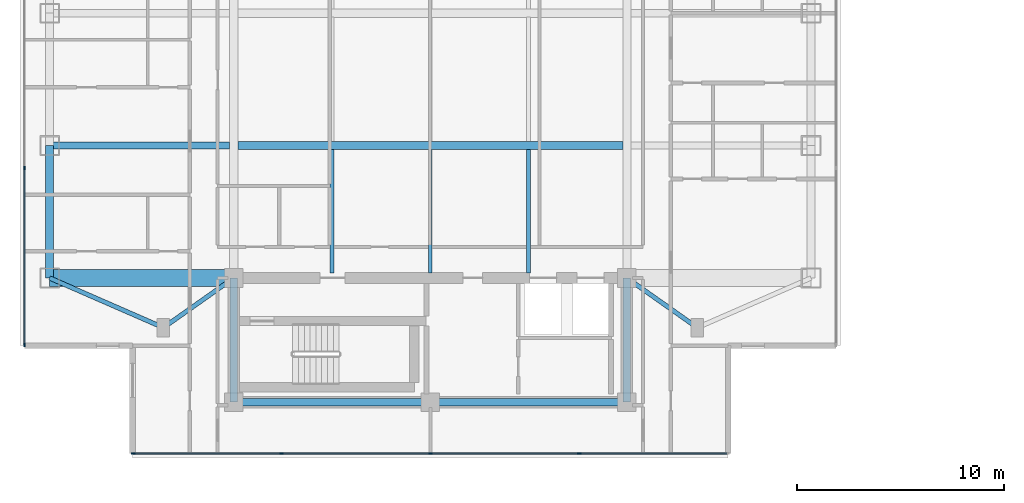
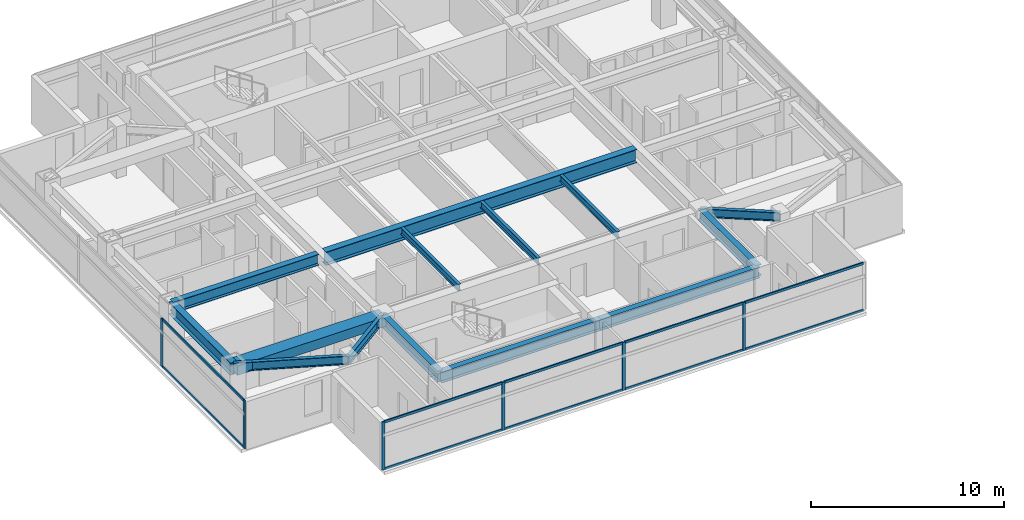
# One storey, part 2 of 24: 16 members, 14 beams, 2 elements without a shape of their own.
"""IFC4 building model written with IfcOpenShell, lengths in metres."""

from ifc_helpers import new_model, si_unit, direction, frame, origin, origin_2d, place, context, subcontext, project, spatial, rectangle, i_section, extrude, material, material_profile, profile_set, type_object, element, aggregate, save


model = new_model("IFC4")

# Units and contexts
model_context = context("Model", 3, precision=1e-05, world=origin(), true_north=direction((0.0, 1.0)))
body_context = subcontext(model_context, "Body", "Model", "MODEL_VIEW")
ifc_project = project(units=[si_unit("LENGTHUNIT", "METRE"), si_unit("AREAUNIT", "SQUARE_METRE"), si_unit("VOLUMEUNIT", "CUBIC_METRE"), si_unit("PLANEANGLEUNIT", "RADIAN"), si_unit("MASSUNIT", "GRAM", prefix="KILO")], contexts=[model_context])

# Site, building, storey
site_placement = place(None, origin())
site = spatial("IfcSite", under=ifc_project, at=site_placement, CompositionType="ELEMENT")
building_placement = place(site_placement, origin())
building = spatial("IfcBuilding", under=site, at=building_placement, Name="Mirazonda Arch Towers", CompositionType="ELEMENT")
storey_placement = place(building_placement, frame((0.0, 0.0, 186.89990234375)))
storey = spatial("IfcBuildingStorey", under=building, at=storey_placement, Name="L53", CompositionType="ELEMENT", Elevation=186.89990234375)

# Beams
ifc_material_1 = material(Name="Steel ASTM A992 Grade 50", Category="steel")
ifc_material_profile_1 = material_profile(ifc_material_1, i_section(OverallWidth=0.381103515625, OverallDepth=0.77294921875, WebThickness=0.0166015625, FlangeThickness=0.027099609375, at=origin_2d()), Name="W30X173")
ifc_profile_set_1 = profile_set([ifc_material_profile_1], Name="Steel ASTM A992 Grade 50")
beam_type_1 = type_object("IfcBeamType", Name="BM-EXT-W30X173", PredefinedType="USERDEFINED", material=ifc_profile_set_1)
beam_1_placement = place(storey_placement, frame((2.10009765625, 18.39990234375, 2.66357421875), z_axis=(0.0, 1.0, 0.0), x_axis=(-1.0, 0.0, 0.0)))
element("IfcBeam", 1, at=beam_1_placement, inside=storey, type_object=beam_type_1, Name="L53 Floor Beam BM-T1-L53-NS-W-18", ObjectType="GIRDER", PredefinedType="USERDEFINED", context=body_context, shape_type="SweptSolid", body=[
    extrude(i_section(OverallWidth=0.381103515625, OverallDepth=0.77294921875, WebThickness=0.0166015625, FlangeThickness=0.027099609375, at=origin_2d()), origin(), (0.0, 0.0, 1.0), 6.400146484375),
])
ifc_material_profile_2 = material_profile(ifc_material_1, i_section(OverallWidth=0.180908203125, OverallDepth=0.4169921875, WebThickness=0.010986328125, FlangeThickness=0.018310546875, at=origin_2d()), Name="W16X57")
ifc_profile_set_2 = profile_set([ifc_material_profile_2], Name="Steel ASTM A992 Grade 50")
beam_type_2 = type_object("IfcBeamType", Name="BM-INT-W16X57", PredefinedType="JOIST", material=ifc_profile_set_2)
for number, where, z_axis, x_axis, name in (
    (2, (15.75, 18.639892578125, 2.841552734375), (0.0, 1.0, 0.0), (-1.0, 0.0, 0.0), "L53 Floor Beam BM-T1-L53-J-157-18"),
    (3, (20.5, 18.639892578125, 2.841552734375), (0.0, 1.0, 0.0), (-1.0, 0.0, 0.0), "L53 Floor Beam BM-T1-L53-J-205-18"),
    (4, (25.25, 18.639892578125, 2.841552734375), (0.0, 1.0, 0.0), (-1.0, 0.0, 0.0), "L53 Floor Beam BM-T1-L53-J-252-18"),
):
    element("IfcBeam", number, at=place(storey_placement, frame(where, z_axis=z_axis, x_axis=x_axis)), inside=storey, type_object=beam_type_2, Name=name, PredefinedType="JOIST", context=body_context, shape_type="SweptSolid", body=[
        extrude(i_section(OverallWidth=0.180908203125, OverallDepth=0.4169921875, WebThickness=0.010986328125, FlangeThickness=0.018310546875, at=origin_2d()), origin(), (0.0, 0.0, 1.0), 5.964111328125),
    ])
ifc_material_profile_3 = material_profile(ifc_material_1, i_section(OverallWidth=0.214111328125, OverallDepth=0.549072265625, WebThickness=0.0146484375, FlangeThickness=0.023681640625, at=origin_2d()), Name="W21X93")
ifc_profile_set_3 = profile_set([ifc_material_profile_3], Name="Steel ASTM A992 Grade 50")
beam_type_3 = type_object("IfcBeamType", Name="BM-INT-W21X93", PredefinedType="BEAM", material=ifc_profile_set_3)
beam_2_placement = place(storey_placement, frame((7.60009765625, 16.0, 2.775634765625), z_axis=(0.816971114901, 0.576678591087, 0.0), x_axis=(-0.576678591087, 0.816971114901, 0.0)))
element("IfcBeam", 5, at=beam_2_placement, inside=storey, type_object=beam_type_3, Name="L53 Floor Beam BM-T1-L53-PL-SW1", PredefinedType="BEAM", context=body_context, shape_type="SweptSolid", body=[
    extrude(i_section(OverallWidth=0.214111328125, OverallDepth=0.549072265625, WebThickness=0.0146484375, FlangeThickness=0.023681640625, at=origin_2d()), origin(), (0.0, 0.0, 1.0), 4.16162109375),
])
beam_3_placement = place(storey_placement, frame((7.60009765625, 16.0, 2.775634765625), z_axis=(-0.916545343703, 0.399930785183, 0.0), x_axis=(-0.399930785183, -0.916545343703, 0.0)))
element("IfcBeam", 6, at=beam_3_placement, inside=storey, type_object=beam_type_3, Name="L53 Floor Beam BM-T1-L53-PL-SW2", PredefinedType="BEAM", context=body_context, shape_type="SweptSolid", body=[
    extrude(i_section(OverallWidth=0.214111328125, OverallDepth=0.549072265625, WebThickness=0.0146484375, FlangeThickness=0.023681640625, at=origin_2d()), origin(), (0.0, 0.0, 1.0), 6.000732421875),
])
beam_4_placement = place(storey_placement, frame((33.39990234375, 16.0, 2.775634765625), z_axis=(-0.816971114901, 0.576678591087, 0.0), x_axis=(-0.576678591087, -0.816971114901, 0.0)))
element("IfcBeam", 7, at=beam_4_placement, inside=storey, type_object=beam_type_3, Name="L53 Floor Beam BM-T1-L53-PL-SE1", PredefinedType="BEAM", context=body_context, shape_type="SweptSolid", body=[
    extrude(i_section(OverallWidth=0.214111328125, OverallDepth=0.549072265625, WebThickness=0.0146484375, FlangeThickness=0.023681640625, at=origin_2d()), origin(), (0.0, 0.0, 1.0), 4.16162109375),
])
ifc_material_profile_4 = material_profile(ifc_material_1, i_section(OverallWidth=0.35498046875, OverallDepth=0.696044921875, WebThickness=0.015380859375, FlangeThickness=0.02490234375, at=origin_2d()), Name="W27X146")
ifc_profile_set_4 = profile_set([ifc_material_profile_4], Name="Steel ASTM A992 Grade 50")
beam_type_4 = type_object("IfcBeamType", Name="BM-INT-W27X146", PredefinedType="BEAM", material=ifc_profile_set_4)
beam_5_placement = place(storey_placement, frame((2.10009765625, 24.800048828125, 2.7021484375), z_axis=(1.0, 0.0, 0.0), x_axis=(0.0, 1.0, 0.0)))
element("IfcBeam", 8, at=beam_5_placement, inside=storey, type_object=beam_type_4, Name="L53 Floor Beam BM-T1-L53-GW2", PredefinedType="BEAM", context=body_context, shape_type="SweptSolid", body=[
    extrude(i_section(OverallWidth=0.35498046875, OverallDepth=0.696044921875, WebThickness=0.015380859375, FlangeThickness=0.02490234375, at=origin_2d()), origin(), (0.0, 0.0, 1.0), 8.699951171875),
])
for number, where, z_axis, x_axis, name in (
    (9, (11.0, 12.39990234375, 2.7021484375), (1.0, 0.0, 0.0), (0.0, 1.0, 0.0), "L53 Floor Beam BM-T1-L53-CS1"),
    (10, (20.5, 12.39990234375, 2.7021484375), (1.0, 0.0, 0.0), (0.0, 1.0, 0.0), "L53 Floor Beam BM-T1-L53-CS2"),
):
    element("IfcBeam", number, at=place(storey_placement, frame(where, z_axis=z_axis, x_axis=x_axis)), inside=storey, type_object=beam_type_4, Name=name, PredefinedType="BEAM", context=body_context, shape_type="SweptSolid", body=[
        extrude(i_section(OverallWidth=0.35498046875, OverallDepth=0.696044921875, WebThickness=0.015380859375, FlangeThickness=0.02490234375, at=origin_2d()), origin(), (0.0, 0.0, 1.0), 9.5),
    ])
for number, where, z_axis, x_axis, name in (
    (11, (11.0, 12.39990234375, 2.7021484375), (0.0, 1.0, 0.0), (-1.0, 0.0, 0.0), "L53 Floor Beam BM-T1-L53-CSW"),
    (12, (30.0, 12.39990234375, 2.7021484375), (0.0, 1.0, 0.0), (-1.0, 0.0, 0.0), "L53 Floor Beam BM-T1-L53-CSE"),
):
    element("IfcBeam", number, at=place(storey_placement, frame(where, z_axis=z_axis, x_axis=x_axis)), inside=storey, type_object=beam_type_4, Name=name, PredefinedType="BEAM", context=body_context, shape_type="SweptSolid", body=[
        extrude(i_section(OverallWidth=0.35498046875, OverallDepth=0.696044921875, WebThickness=0.015380859375, FlangeThickness=0.02490234375, at=origin_2d()), origin(), (0.0, 0.0, 1.0), 6.0),
    ])
ifc_material_profile_5 = material_profile(ifc_material_1, i_section(OverallWidth=0.39990234375, OverallDepth=0.85595703125, WebThickness=0.018310546875, FlangeThickness=0.029296875, at=origin_2d()), Name="W33X201")
ifc_profile_set_5 = profile_set([ifc_material_profile_5], Name="Steel ASTM A992 Grade 50")
beam_type_5 = type_object("IfcBeamType", Name="BM-INT-W33X201", PredefinedType="USERDEFINED", material=ifc_profile_set_5)
beam_6_placement = place(storey_placement, frame((11.199951171875, 24.800048828125, 2.6220703125), z_axis=(1.0, 0.0, 0.0), x_axis=(0.0, 1.0, 0.0)))
element("IfcBeam", 13, at=beam_6_placement, inside=storey, type_object=beam_type_5, Name="L53 Floor Beam BM-T1-L53-GC2", ObjectType="GIRDER", PredefinedType="USERDEFINED", context=body_context, shape_type="SweptSolid", body=[
    extrude(i_section(OverallWidth=0.39990234375, OverallDepth=0.85595703125, WebThickness=0.018310546875, FlangeThickness=0.029296875, at=origin_2d()), origin(), (0.0, 0.0, 1.0), 18.60009765625),
])
ifc_material_2 = material(Name="Concrete C60/75", Category="concrete")
ifc_material_profile_6 = material_profile(ifc_material_2, rectangle(XDim=0.800048828125, YDim=0.60009765625, at=origin_2d()), Name="RCCB800x600")
ifc_profile_set_6 = profile_set([ifc_material_profile_6], Name="Concrete C60/75")
beam_type_6 = type_object("IfcBeamType", Name="CB-INT-RCCB800x600", PredefinedType="SPANDREL", material=ifc_profile_set_6)
beam_7_placement = place(storey_placement, frame((2.10009765625, 18.39990234375, 2.75), z_axis=(1.0, 0.0, 0.0), x_axis=(0.0, 1.0, 0.0)))
element("IfcBeam", 14, at=beam_7_placement, inside=storey, type_object=beam_type_6, Name="L53 Floor Beam CBC-T1-L53-SW", PredefinedType="SPANDREL", context=body_context, shape_type="SweptSolid", body=[
    extrude(rectangle(XDim=0.800048828125, YDim=0.60009765625, at=origin_2d()), origin(), (0.0, 0.0, 1.0), 8.89990234375),
])

# Curtain wall, members
ifc_material_3 = material(Name="Anodised Aluminium and Low-E Glass", Category="aluminium")
curtain_wall_type = type_object("IfcCurtainWallType", Name="CW-RES-UNIT", PredefinedType="NOTDEFINED", material=ifc_material_3)
curtain_wall_1_placement = place(storey_placement, origin())
curtain_wall_1 = element("IfcCurtainWall", 15, at=curtain_wall_1_placement, inside=storey, type_object=curtain_wall_type, Name="L53 T1 S Facade CW-L53-T1-S", PredefinedType="NOTDEFINED")
ifc_material_4 = material(Name="Anodised Aluminium Alloy", Category="aluminium")
ifc_material_profile_7 = material_profile(ifc_material_4, rectangle(XDim=0.074951171875, YDim=0.175048828125, at=origin_2d()), Name="ALU-MULL-75x175")
ifc_profile_set_7 = profile_set([ifc_material_profile_7], Name="Anodised Aluminium Alloy")
member_type_1 = type_object("IfcMemberType", Name="MULL-CW-RES-UNIT", PredefinedType="MULLION", material=ifc_profile_set_7)
member_1_placement = place(storey_placement, frame((27.697509765625, 9.912109375, 0.0), z_axis=(0.0, 0.0, 1.0), x_axis=(0.0, -1.0, 0.0)))
member_1 = element("IfcMember", 16, at=member_1_placement, type_object=member_type_1, Name="CW-104 mullion 2", PredefinedType="MULLION", context=body_context, shape_type="SweptSolid", body=[
    extrude(rectangle(XDim=0.074951171875, YDim=0.175048828125, at=origin_2d()), origin(), (0.0, 0.0, 1.0), 3.030029296875),
])
member_2_placement = place(storey_placement, frame((20.5, 9.912109375, 0.0), z_axis=(0.0, 0.0, 1.0), x_axis=(0.0, -1.0, 0.0)))
member_2 = element("IfcMember", 17, at=member_2_placement, type_object=member_type_1, Name="CW-104 mullion 3", PredefinedType="MULLION", context=body_context, shape_type="SweptSolid", body=[
    extrude(rectangle(XDim=0.074951171875, YDim=0.175048828125, at=origin_2d()), origin(), (0.0, 0.0, 1.0), 3.030029296875),
])
member_3_placement = place(storey_placement, frame((13.302490234375, 9.912109375, 0.0), z_axis=(0.0, 0.0, 1.0), x_axis=(0.0, -1.0, 0.0)))
member_3 = element("IfcMember", 18, at=member_3_placement, type_object=member_type_1, Name="CW-104 mullion 4", PredefinedType="MULLION", context=body_context, shape_type="SweptSolid", body=[
    extrude(rectangle(XDim=0.074951171875, YDim=0.175048828125, at=origin_2d()), origin(), (0.0, 0.0, 1.0), 3.030029296875),
])
member_4_placement = place(storey_placement, frame((6.142578125, 9.912109375, 0.0), z_axis=(0.0, 0.0, 1.0), x_axis=(0.0, -1.0, 0.0)))
member_4 = element("IfcMember", 19, at=member_4_placement, type_object=member_type_1, Name="CW-104 mullion 5", PredefinedType="MULLION", context=body_context, shape_type="SweptSolid", body=[
    extrude(rectangle(XDim=0.074951171875, YDim=0.175048828125, at=origin_2d()), origin(), (0.0, 0.0, 1.0), 3.030029296875),
])

curtain_wall_2_placement = place(storey_placement, origin())
curtain_wall_2 = element("IfcCurtainWall", 20, at=curtain_wall_2_placement, inside=storey, type_object=curtain_wall_type, Name="L53 T1 W Facade CW-L53-T1-W", PredefinedType="NOTDEFINED")
member_5_placement = place(storey_placement, frame((0.889892578125, 23.708984375, 0.0), z_axis=(0.0, 0.0, 1.0), x_axis=(1.0, 0.0, 0.0)))
member_5 = element("IfcMember", 21, at=member_5_placement, type_object=member_type_1, Name="CW-104 mullion 3", PredefinedType="MULLION", context=body_context, shape_type="SweptSolid", body=[
    extrude(rectangle(XDim=0.074951171875, YDim=0.175048828125, at=origin_2d()), origin(), (0.0, 0.0, 1.0), 3.030029296875),
])
member_6_placement = place(storey_placement, frame((0.889892578125, 15.16455078125, 0.0), z_axis=(0.0, 0.0, 1.0), x_axis=(1.0, 0.0, 0.0)))
member_6 = element("IfcMember", 22, at=member_6_placement, type_object=member_type_1, Name="CW-104 mullion 4", PredefinedType="MULLION", context=body_context, shape_type="SweptSolid", body=[
    extrude(rectangle(XDim=0.074951171875, YDim=0.175048828125, at=origin_2d()), origin(), (0.0, 0.0, 1.0), 3.030029296875),
])

# Member
ifc_material_profile_8 = material_profile(ifc_material_4, rectangle(XDim=0.074951171875, YDim=0.155029296875, at=origin_2d()), Name="ALU-TRAN-75x155")
ifc_profile_set_8 = profile_set([ifc_material_profile_8], Name="Anodised Aluminium Alloy")
member_type_2 = type_object("IfcMemberType", Name="TRAN-CW-RES-UNIT", PredefinedType="USERDEFINED", material=ifc_profile_set_8)
member_7_placement = place(storey_placement, frame((34.820068359375, 9.912109375, 0.03759765625), z_axis=(-1.0, 0.0, 0.0), x_axis=(0.0, -1.0, 0.0)))
member_7 = element("IfcMember", 23, at=member_7_placement, type_object=member_type_2, Name="CW-104 transom 1.1", ObjectType="TRANSOM", PredefinedType="USERDEFINED", context=body_context, shape_type="SweptSolid", body=[
    extrude(rectangle(XDim=0.074951171875, YDim=0.155029296875, at=origin_2d()), origin(), (0.0, 0.0, 1.0), 7.0849609375),
])

member_8_placement = place(storey_placement, frame((34.820068359375, 9.912109375, 2.99267578125), z_axis=(-1.0, 0.0, 0.0), x_axis=(0.0, -1.0, 0.0)))
member_8 = element("IfcMember", 24, at=member_8_placement, type_object=member_type_2, Name="CW-104 transom 1.2", ObjectType="TRANSOM", PredefinedType="USERDEFINED", context=body_context, shape_type="SweptSolid", body=[
    extrude(rectangle(XDim=0.074951171875, YDim=0.155029296875, at=origin_2d()), origin(), (0.0, 0.0, 1.0), 7.0849609375),
])

member_9_placement = place(storey_placement, frame((27.659912109375, 9.912109375, 0.03759765625), z_axis=(-1.0, 0.0, 0.0), x_axis=(0.0, -1.0, 0.0)))
member_9 = element("IfcMember", 25, at=member_9_placement, type_object=member_type_2, Name="CW-104 transom 2.1", ObjectType="TRANSOM", PredefinedType="USERDEFINED", context=body_context, shape_type="SweptSolid", body=[
    extrude(rectangle(XDim=0.074951171875, YDim=0.155029296875, at=origin_2d()), origin(), (0.0, 0.0, 1.0), 7.122314453125),
])

member_10_placement = place(storey_placement, frame((27.659912109375, 9.912109375, 2.99267578125), z_axis=(-1.0, 0.0, 0.0), x_axis=(0.0, -1.0, 0.0)))
member_10 = element("IfcMember", 26, at=member_10_placement, type_object=member_type_2, Name="CW-104 transom 2.2", ObjectType="TRANSOM", PredefinedType="USERDEFINED", context=body_context, shape_type="SweptSolid", body=[
    extrude(rectangle(XDim=0.074951171875, YDim=0.155029296875, at=origin_2d()), origin(), (0.0, 0.0, 1.0), 7.122314453125),
])

member_11_placement = place(storey_placement, frame((20.46240234375, 9.912109375, 0.03759765625), z_axis=(-1.0, 0.0, 0.0), x_axis=(0.0, -1.0, 0.0)))
member_11 = element("IfcMember", 27, at=member_11_placement, type_object=member_type_2, Name="CW-104 transom 3.1", ObjectType="TRANSOM", PredefinedType="USERDEFINED", context=body_context, shape_type="SweptSolid", body=[
    extrude(rectangle(XDim=0.074951171875, YDim=0.155029296875, at=origin_2d()), origin(), (0.0, 0.0, 1.0), 7.122314453125),
])

member_12_placement = place(storey_placement, frame((20.46240234375, 9.912109375, 2.99267578125), z_axis=(-1.0, 0.0, 0.0), x_axis=(0.0, -1.0, 0.0)))
member_12 = element("IfcMember", 28, at=member_12_placement, type_object=member_type_2, Name="CW-104 transom 3.2", ObjectType="TRANSOM", PredefinedType="USERDEFINED", context=body_context, shape_type="SweptSolid", body=[
    extrude(rectangle(XDim=0.074951171875, YDim=0.155029296875, at=origin_2d()), origin(), (0.0, 0.0, 1.0), 7.122314453125),
])

member_13_placement = place(storey_placement, frame((13.264892578125, 9.912109375, 0.03759765625), z_axis=(-1.0, 0.0, 0.0), x_axis=(0.0, -1.0, 0.0)))
member_13 = element("IfcMember", 29, at=member_13_placement, type_object=member_type_2, Name="CW-104 transom 4.1", ObjectType="TRANSOM", PredefinedType="USERDEFINED", context=body_context, shape_type="SweptSolid", body=[
    extrude(rectangle(XDim=0.074951171875, YDim=0.155029296875, at=origin_2d()), origin(), (0.0, 0.0, 1.0), 7.0849609375),
])

member_14_placement = place(storey_placement, frame((13.264892578125, 9.912109375, 2.99267578125), z_axis=(-1.0, 0.0, 0.0), x_axis=(0.0, -1.0, 0.0)))
member_14 = element("IfcMember", 30, at=member_14_placement, type_object=member_type_2, Name="CW-104 transom 4.2", ObjectType="TRANSOM", PredefinedType="USERDEFINED", context=body_context, shape_type="SweptSolid", body=[
    extrude(rectangle(XDim=0.074951171875, YDim=0.155029296875, at=origin_2d()), origin(), (0.0, 0.0, 1.0), 7.0849609375),
])

aggregate(curtain_wall_1, [member_1, member_2, member_3, member_4, member_7, member_8, member_9, member_10, member_11, member_12, member_13, member_14])

member_15_placement = place(storey_placement, frame((0.889892578125, 23.67138671875, 0.03759765625), z_axis=(0.0, -1.0, 0.0), x_axis=(1.0, 0.0, 0.0)))
member_15 = element("IfcMember", 31, at=member_15_placement, type_object=member_type_2, Name="CW-104 transom 3.1", ObjectType="TRANSOM", PredefinedType="USERDEFINED", context=body_context, shape_type="SweptSolid", body=[
    extrude(rectangle(XDim=0.074951171875, YDim=0.155029296875, at=origin_2d()), origin(), (0.0, 0.0, 1.0), 8.469482421875),
])

member_16_placement = place(storey_placement, frame((0.889892578125, 23.67138671875, 2.99267578125), z_axis=(0.0, -1.0, 0.0), x_axis=(1.0, 0.0, 0.0)))
member_16 = element("IfcMember", 32, at=member_16_placement, type_object=member_type_2, Name="CW-104 transom 3.2", ObjectType="TRANSOM", PredefinedType="USERDEFINED", context=body_context, shape_type="SweptSolid", body=[
    extrude(rectangle(XDim=0.074951171875, YDim=0.155029296875, at=origin_2d()), origin(), (0.0, 0.0, 1.0), 8.469482421875),
])

aggregate(curtain_wall_2, [member_5, member_6, member_15, member_16])

save(model, "model.ifc")
